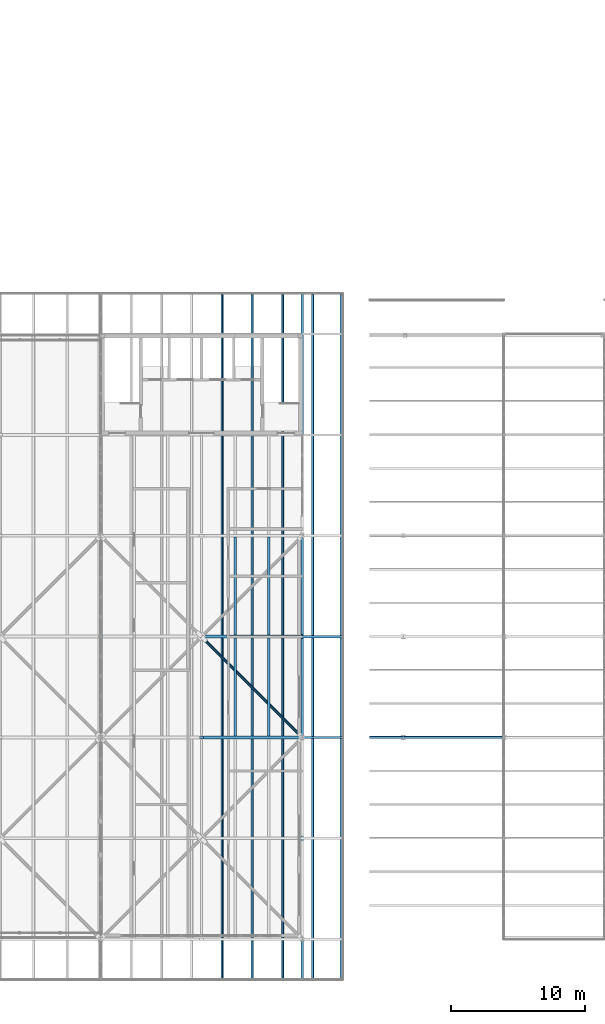
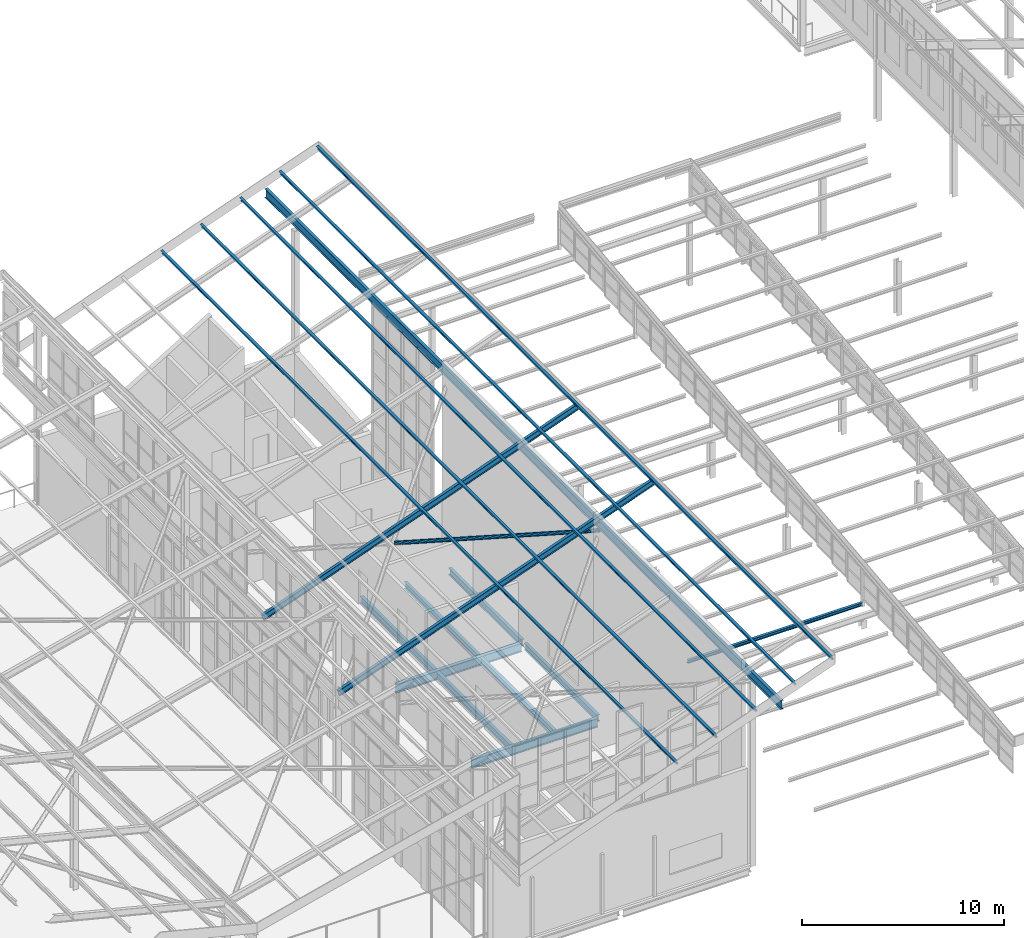
# One storey, part 53 of 483: 9 beams, 9 members.
"""IFC4 building model written with IfcOpenShell, lengths in metres."""

from ifc_helpers import new_model, si_unit, direction, frame, origin, origin_2d, place, context, subcontext, project, spatial, hollow_circle, i_section, extrude, material, material_profile, profile_set, type_object, element, save


model = new_model("IFC4")

# Units and contexts
model_context = context("Model", 3, precision=1e-05, world=origin(), true_north=direction((0.0, 1.0)))
body_context = subcontext(model_context, "Body", "Model", "MODEL_VIEW")
ifc_project = project(units=[si_unit("LENGTHUNIT", "METRE"), si_unit("AREAUNIT", "SQUARE_METRE"), si_unit("VOLUMEUNIT", "CUBIC_METRE"), si_unit("PLANEANGLEUNIT", "RADIAN"), si_unit("MASSUNIT", "GRAM", prefix="KILO")], contexts=[model_context])

# Site, building, storey
site_placement = place(None, origin())
site = spatial("IfcSite", under=ifc_project, at=site_placement, CompositionType="ELEMENT")
building_placement = place(site_placement, origin())
building = spatial("IfcBuilding", under=site, at=building_placement, Name="Parallax Yard Mobility Hub", CompositionType="ELEMENT")
storey_placement = place(building_placement, frame((0.0, 0.0, 13.199951171875)))
storey = spatial("IfcBuildingStorey", under=building, at=storey_placement, Name="L04", CompositionType="ELEMENT", Elevation=13.199951171875)

# Beam
ifc_material_1 = material(Name="Steel ASTM A992", Category="steel")
ifc_material_profile_1 = material_profile(ifc_material_1, i_section(OverallWidth=0.166015625, OverallDepth=0.529052734375, WebThickness=0.009765625, FlangeThickness=0.013671875, at=origin_2d()), Name="W530x74")
ifc_profile_set_1 = profile_set([ifc_material_profile_1], Name="Steel ASTM A992")
beam_type_1 = type_object("IfcBeamType", Name="Pavilion girder W530x74", PredefinedType="BEAM", material=ifc_profile_set_1)
beam_1_placement = place(storey_placement, frame((142.5, 4.5, 11.464599609375), z_axis=(0.0, 1.0, 0.0), x_axis=(-1.0, 0.0, 0.0)))
element("IfcBeam", 1, at=beam_1_placement, inside=storey, type_object=beam_type_1, Name="Pavilion girder line x 142.5", PredefinedType="BEAM", context=body_context, shape_type="SweptSolid", body=[
    extrude(i_section(OverallWidth=0.166015625, OverallDepth=0.529052734375, WebThickness=0.009765625, FlangeThickness=0.013671875, at=origin_2d()), origin(), (0.0, 0.0, 1.0), 51.0),
])

# Members
ifc_material_2 = material(Name="Steel ASTM A500 Gr C", Category="steel")
ifc_material_profile_2 = material_profile(ifc_material_2, hollow_circle(Radius=0.109619140625, WallThickness=0.008056640625, at=origin_2d()), Name="HSS219.1x8.0")
ifc_profile_set_2 = profile_set([ifc_material_profile_2], Name="Steel ASTM A500 Gr C")
member_type_1 = type_object("IfcMemberType", Name="Roof brace HSS219.1x8.0", PredefinedType="BRACE", material=ifc_profile_set_2)
member_1_placement = place(storey_placement, frame((135.068359375, 29.931640625, 8.4150390625), z_axis=(0.685254578033, -0.685254578033, 0.246682643432), x_axis=(0.707106781187, 0.707106781187, 0.0)))
element("IfcMember", 2, at=member_1_placement, inside=storey, type_object=member_type_1, Name="Roof X brace pavilion bay 2 2 (half 2)", PredefinedType="BRACE", context=body_context, shape_type="SweptSolid", body=[
    extrude(hollow_circle(Radius=0.109619140625, WallThickness=0.008056640625, at=origin_2d()), origin(), (0.0, 0.0, 1.0), 10.844970703125),
])
ifc_material_profile_3 = material_profile(ifc_material_1, i_section(OverallWidth=0.133056640625, OverallDepth=0.20703125, WebThickness=0.005859375, FlangeThickness=0.00830078125, at=origin_2d()), Name="W200x27")
ifc_profile_set_3 = profile_set([ifc_material_profile_3], Name="Steel ASTM A992")
member_type_2 = type_object("IfcMemberType", Name="Roof purlin W200x27", PredefinedType="PURLIN", material=ifc_profile_set_3)
for number, where, z_axis, x_axis, name in (
    (3, (136.53515625, 4.56005859375, 10.029052734375), (0.0, 1.0, 0.0), (-0.940887272082, 0.0, -0.338719856569), "Roof purlin pavilion line 5"),
    (4, (138.78515625, 4.56005859375, 10.8388671875), (0.0, 1.0, 0.0), (-0.940887272082, 0.0, -0.338719856569), "Roof purlin pavilion line 6"),
    (5, (141.03515625, 4.56005859375, 11.64892578125), (0.0, 1.0, 0.0), (-0.940887272082, 0.0, -0.338719856569), "Roof purlin pavilion line 7"),
    (6, (143.28515625, 4.56005859375, 12.458984375), (0.0, 1.0, 0.0), (-0.940887272082, 0.0, -0.338719856569), "Roof purlin pavilion line 8"),
    (7, (145.4150390625, 4.56005859375, 13.225830078125), (0.0, 1.0, 0.0), (-0.940887272082, 0.0, -0.338719856569), "Roof purlin pavilion line 9"),
):
    element("IfcMember", number, at=place(storey_placement, frame(where, z_axis=z_axis, x_axis=x_axis)), inside=storey, type_object=member_type_2, Name=name, PredefinedType="PURLIN", context=body_context, shape_type="SweptSolid", body=[
        extrude(i_section(OverallWidth=0.133056640625, OverallDepth=0.20703125, WebThickness=0.005859375, FlangeThickness=0.00830078125, at=origin_2d()), origin(), (0.0, 0.0, 1.0), 50.8798828125),
    ])
member_2_placement = place(storey_placement, frame((147.5, 22.511474609375, 1.41943359375), z_axis=(1.0, 0.0, 0.0), x_axis=(0.0, 0.993883718765, 0.110431669255)))
element("IfcMember", 8, at=member_2_placement, inside=storey, type_object=member_type_2, Name="Roof purlin west of the monitor at y 22.5", PredefinedType="PURLIN", context=body_context, shape_type="SweptSolid", body=[
    extrude(i_section(OverallWidth=0.133056640625, OverallDepth=0.20703125, WebThickness=0.005859375, FlangeThickness=0.00830078125, at=origin_2d()), origin(), (0.0, 0.0, 1.0), 10.0),
])
ifc_material_profile_4 = material_profile(ifc_material_1, i_section(OverallWidth=0.1708984375, OverallDepth=0.35498046875, WebThickness=0.007080078125, FlangeThickness=0.01171875, at=origin_2d()), Name="W360x51")
ifc_profile_set_4 = profile_set([ifc_material_profile_4], Name="Steel ASTM A992")
member_type_3 = type_object("IfcMemberType", Name="Roof rafter W360x51", PredefinedType="RAFTER", material=ifc_profile_set_4)
for number, where, z_axis, x_axis, name in (
    (9, (127.56005859375, 22.5, 6.499267578125), (0.940884475378, 0.0, 0.33872762508), (0.0, 1.0, 0.0), "Roof rafter pavilion at y 22.5"),
    (10, (127.56005859375, 30.0, 6.499267578125), (0.940884475378, 0.0, 0.33872762508), (0.0, 1.0, 0.0), "Roof rafter pavilion at y 30"),
):
    element("IfcMember", number, at=place(storey_placement, frame(where, z_axis=z_axis, x_axis=x_axis)), inside=storey, type_object=member_type_3, Name=name, PredefinedType="RAFTER", context=body_context, shape_type="SweptSolid", body=[
        extrude(i_section(OverallWidth=0.1708984375, OverallDepth=0.35498046875, WebThickness=0.007080078125, FlangeThickness=0.01171875, at=origin_2d()), origin(), (0.0, 0.0, 1.0), 19.07763671875),
    ])

# Beams
ifc_material_profile_5 = material_profile(ifc_material_1, i_section(OverallWidth=0.177978515625, OverallDepth=0.406005859375, WebThickness=0.0078125, FlangeThickness=0.0126953125, FilletRadius=0.01025390625, at=origin_2d()), Name="W410x60")
ifc_profile_set_5 = profile_set([ifc_material_profile_5], Name="Steel ASTM A992")
beam_type_2 = type_object("IfcBeamType", Name="W410x60 secondary beam", PredefinedType="JOIST", material=ifc_profile_set_5)
for number, where, z_axis, x_axis, name in (
    (11, (137.5, 22.6044921875, -0.343017578125), (0.0, 1.0, 0.0), (-1.0, 0.0, 0.0), "Secondary beam B1 level L04, 2.5 m east of line 19 of mobility service centre and workshops, span 3"),
    (12, (137.5, 30.1044921875, -0.343017578125), (0.0, 1.0, 0.0), (-1.0, 0.0, 0.0), "Secondary beam B1 level L04, 2.5 m east of line 19 of mobility service centre and workshops, span 4"),
    (13, (140.0, 22.6044921875, -0.343017578125), (0.0, 1.0, 0.0), (-1.0, 0.0, 0.0), "Secondary beam B1 level L04, 5 m east of line 19 of mobility service centre and workshops, span 3"),
    (14, (140.0, 30.1044921875, -0.343017578125), (0.0, 1.0, 0.0), (-1.0, 0.0, 0.0), "Secondary beam B1 level L04, 5 m east of line 19 of mobility service centre and workshops, span 4"),
):
    element("IfcBeam", number, at=place(storey_placement, frame(where, z_axis=z_axis, x_axis=x_axis)), inside=storey, type_object=beam_type_2, Name=name, PredefinedType="JOIST", context=body_context, shape_type="SweptSolid", body=[
        extrude(i_section(OverallWidth=0.177978515625, OverallDepth=0.406005859375, WebThickness=0.0078125, FlangeThickness=0.0126953125, FilletRadius=0.01025390625, at=origin_2d()), origin(), (0.0, 0.0, 1.0), 7.291015625),
    ])
ifc_material_profile_6 = material_profile(ifc_material_1, i_section(OverallWidth=0.178955078125, OverallDepth=0.408935546875, WebThickness=0.0087890625, FlangeThickness=0.014404296875, FilletRadius=0.01025390625, at=origin_2d()), Name="W410x67")
ifc_profile_set_6 = profile_set([ifc_material_profile_6], Name="Steel ASTM A992")
beam_type_3 = type_object("IfcBeamType", Name="W410x67 edge beam", PredefinedType="SPANDREL", material=ifc_profile_set_6)
beam_2_placement = place(storey_placement, frame((142.5, 22.653564453125, -0.344482421875), z_axis=(0.0, 1.0, 0.0), x_axis=(-1.0, 0.0, 0.0)))
element("IfcBeam", 15, at=beam_2_placement, inside=storey, type_object=beam_type_3, Name="Edge beam SB3 level L04, line 20 of mobility service centre and workshops, span 3", PredefinedType="SPANDREL", context=body_context, shape_type="SweptSolid", body=[
    extrude(i_section(OverallWidth=0.178955078125, OverallDepth=0.408935546875, WebThickness=0.0087890625, FlangeThickness=0.014404296875, FilletRadius=0.01025390625, at=origin_2d()), origin(), (0.0, 0.0, 1.0), 7.19287109375),
])
beam_3_placement = place(storey_placement, frame((142.5, 30.153564453125, -0.344482421875), z_axis=(0.0, 1.0, 0.0), x_axis=(-1.0, 0.0, 0.0)))
element("IfcBeam", 16, at=beam_3_placement, inside=storey, type_object=beam_type_3, Name="Edge beam SB3 level L04, line 20 of mobility service centre and workshops, span 4", PredefinedType="SPANDREL", context=body_context, shape_type="SweptSolid", body=[
    extrude(i_section(OverallWidth=0.178955078125, OverallDepth=0.408935546875, WebThickness=0.0087890625, FlangeThickness=0.014404296875, FilletRadius=0.01025390625, at=origin_2d()), origin(), (0.0, 0.0, 1.0), 7.1875),
])
ifc_material_profile_7 = material_profile(ifc_material_1, i_section(OverallWidth=0.208984375, OverallDepth=0.532958984375, WebThickness=0.01025390625, FlangeThickness=0.015625, FilletRadius=0.0126953125, at=origin_2d()), Name="W530x92")
ifc_profile_set_7 = profile_set([ifc_material_profile_7], Name="Steel ASTM A992")
beam_type_4 = type_object("IfcBeamType", Name="W530x92 longitudinal beam", PredefinedType="BEAM", material=ifc_profile_set_7)
for number, where, z_axis, x_axis, name in (
    (17, (135.152587890625, 22.5, -0.406494140625), (1.0, 0.0, 0.0), (0.0, 1.0, 0.0), "Longitudinal beam SB6 level L04, line D of mobility service centre and workshops, span 6"),
    (18, (135.152587890625, 30.0, -0.406494140625), (1.0, 0.0, 0.0), (0.0, 1.0, 0.0), "Longitudinal beam SB6 level L04, line E of mobility service centre and workshops, span 6"),
):
    element("IfcBeam", number, at=place(storey_placement, frame(where, z_axis=z_axis, x_axis=x_axis)), inside=storey, type_object=beam_type_4, Name=name, PredefinedType="BEAM", context=body_context, shape_type="SweptSolid", body=[
        extrude(i_section(OverallWidth=0.208984375, OverallDepth=0.532958984375, WebThickness=0.01025390625, FlangeThickness=0.015625, FilletRadius=0.0126953125, at=origin_2d()), origin(), (0.0, 0.0, 1.0), 7.19482421875),
    ])

save(model, "model.ifc")
